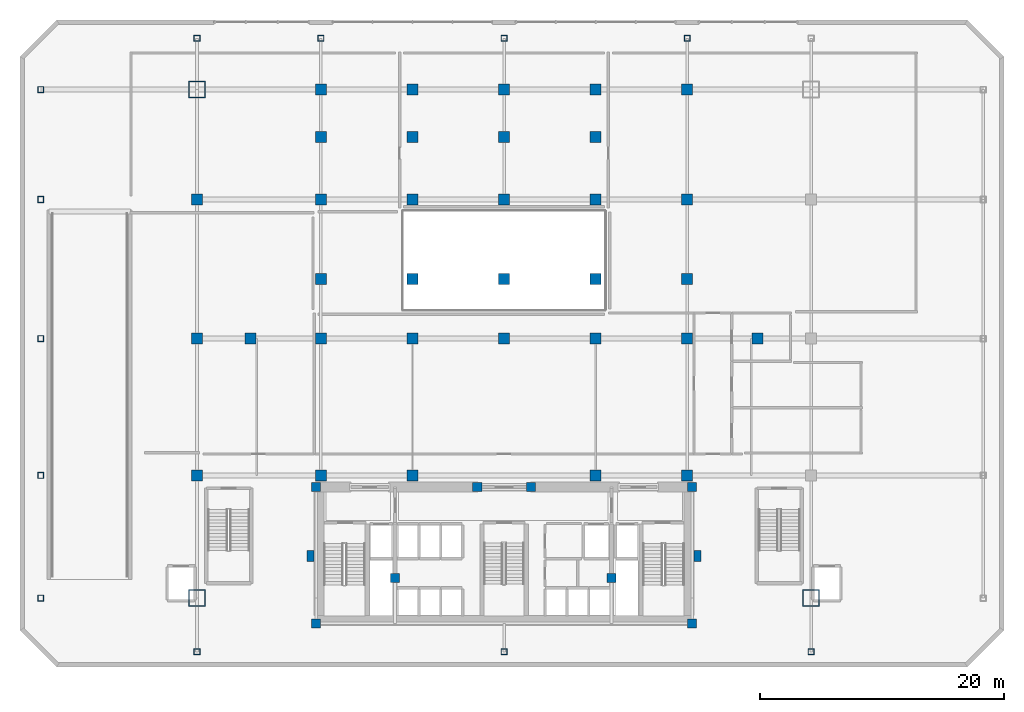
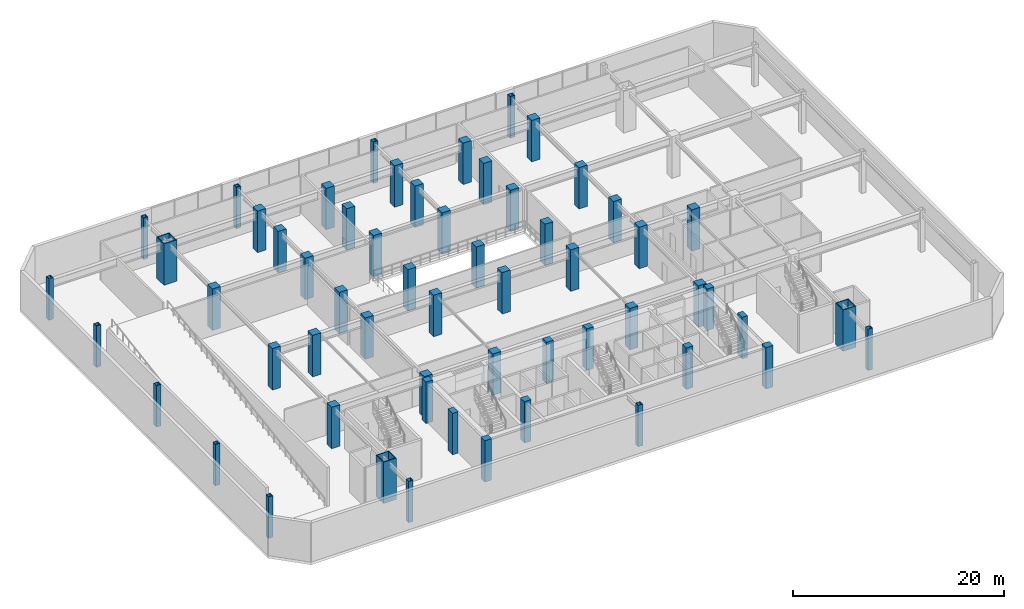
# One storey, part 1 of 16: 58 columns.
"""IFC4 building model written with IfcOpenShell, lengths in metres."""

from ifc_helpers import new_model, si_unit, direction, frame, origin, origin_2d, place, context, subcontext, project, spatial, rectangle, hollow_rectangle, extrude, material, material_profile, profile_set, type_object, element, save


model = new_model("IFC4")

# Units and contexts
model_context = context("Model", 3, precision=1e-05, world=origin(), true_north=direction((0.0, 1.0)))
body_context = subcontext(model_context, "Body", "Model", "MODEL_VIEW")
ifc_project = project(units=[si_unit("LENGTHUNIT", "METRE"), si_unit("AREAUNIT", "SQUARE_METRE"), si_unit("VOLUMEUNIT", "CUBIC_METRE"), si_unit("PLANEANGLEUNIT", "RADIAN"), si_unit("MASSUNIT", "GRAM", prefix="KILO")], contexts=[model_context])

# Site, building, storey
site_placement = place(None, origin())
site = spatial("IfcSite", under=ifc_project, at=site_placement, CompositionType="ELEMENT")
building_placement = place(site_placement, origin())
building = spatial("IfcBuilding", under=site, at=building_placement, Name="Ventersveld Concourse Tower", CompositionType="ELEMENT")
storey_placement = place(building_placement, frame((0.0, 0.0, 10.199951171875)))
storey = spatial("IfcBuildingStorey", under=building, at=storey_placement, Name="L02", CompositionType="ELEMENT", Elevation=10.199951171875)

# Columns
ifc_material_1 = material(Name="Structural steel S355ML", Category="steel")
ifc_material_profile_1 = material_profile(ifc_material_1, hollow_rectangle(XDim=0.5, YDim=0.5, WallThickness=0.031982421875, at=origin_2d()), Name="BOX 500x500x32")
ifc_profile_set_1 = profile_set([ifc_material_profile_1], Name="Structural steel S355ML")
column_type_1 = type_object("IfcColumnType", Name="COL-BOX500", PredefinedType="COLUMN", material=ifc_profile_set_1)
for number, where, z_axis, x_axis, name in (
    (1, (-9.199951171875, 2.35009765625, 0.0), (0.0, 0.0, 1.0), (1.0, 0.0, 0.0), "L02 Podium Perimeter Column 01"),
    (2, (-9.199951171875, 12.39990234375, 0.0), (0.0, 0.0, 1.0), (1.0, 0.0, 0.0), "L02 Podium Perimeter Column 02"),
    (3, (-9.199951171875, 23.60009765625, 0.0), (0.0, 0.0, 1.0), (1.0, 0.0, 0.0), "L02 Podium Perimeter Column 03"),
    (4, (-9.199951171875, 35.0, 0.0), (0.0, 0.0, 1.0), (1.0, 0.0, 0.0), "L02 Podium Perimeter Column 04"),
    (5, (-9.199951171875, 44.0, 0.0), (0.0, 0.0, 1.0), (1.0, 0.0, 0.0), "L02 Podium Perimeter Column 05"),
    (6, (3.60009765625, 48.199951171875, 0.0), (0.0, 0.0, 1.0), (1.0, 0.0, 0.0), "L02 Podium Perimeter Column 11"),
    (7, (13.75, 48.199951171875, 0.0), (0.0, 0.0, 1.0), (1.0, 0.0, 0.0), "L02 Podium Perimeter Column 12"),
    (8, (28.75, 48.199951171875, 0.0), (0.0, 0.0, 1.0), (1.0, 0.0, 0.0), "L02 Podium Perimeter Column 13"),
    (9, (43.75, 48.199951171875, 0.0), (0.0, 0.0, 1.0), (1.0, 0.0, 0.0), "L02 Podium Perimeter Column 14"),
    (10, (3.60009765625, -2.050048828125, 0.0), (0.0, 0.0, 1.0), (1.0, 0.0, 0.0), "L02 Podium Perimeter Column 16"),
    (11, (28.75, -2.050048828125, 0.0), (0.0, 0.0, 1.0), (1.0, 0.0, 0.0), "L02 Podium Perimeter Column 17"),
    (12, (53.89990234375, -2.050048828125, 0.0), (0.0, 0.0, 1.0), (1.0, 0.0, 0.0), "L02 Podium Perimeter Column 18"),
):
    element("IfcColumn", number, at=place(storey_placement, frame(where, z_axis=z_axis, x_axis=x_axis)), inside=storey, type_object=column_type_1, Name=name, PredefinedType="COLUMN", context=body_context, shape_type="SweptSolid", body=[
        extrude(hollow_rectangle(XDim=0.5, YDim=0.5, WallThickness=0.031982421875, at=origin_2d()), origin(), (0.0, 0.0, 1.0), 4.800048828125),
    ])
ifc_material_2 = material(Name="Concrete C50/60", Category="concrete")
ifc_material_profile_2 = material_profile(ifc_material_2, rectangle(XDim=0.75, YDim=0.75, at=origin_2d()), Name="RC 750x750")
ifc_profile_set_2 = profile_set([ifc_material_profile_2], Name="Concrete C50/60")
column_type_2 = type_object("IfcColumnType", Name="COL-RC750", PredefinedType="COLUMN", material=ifc_profile_set_2)
for number, where, z_axis, x_axis, name in (
    (13, (13.35009765625, 0.280029296875, 0.0), (0.0, 0.0, 1.0), (1.0, 0.0, 0.0), "L02 Core Spine Column CC-SW"),
    (14, (44.14990234375, 0.280029296875, 0.0), (0.0, 0.0, 1.0), (1.0, 0.0, 0.0), "L02 Core Spine Column CC-SE"),
    (15, (13.35009765625, 11.449951171875, 0.0), (0.0, 0.0, 1.0), (1.0, 0.0, 0.0), "L02 Core Spine Column CC-NW"),
    (16, (44.14990234375, 11.449951171875, 0.0), (0.0, 0.0, 1.0), (1.0, 0.0, 0.0), "L02 Core Spine Column CC-NE"),
    (17, (19.820068359375, 4.0, 0.0), (0.0, 0.0, 1.0), (1.0, 0.0, 0.0), "L02 Core Spine Column CM-1"),
    (18, (37.550048828125, 4.0, 0.0), (0.0, 0.0, 1.0), (1.0, 0.0, 0.0), "L02 Core Spine Column CM-2"),
    (19, (26.550048828125, 11.449951171875, 0.0), (0.0, 0.0, 1.0), (1.0, 0.0, 0.0), "L02 Core Spine Column CM-3"),
    (20, (30.949951171875, 11.449951171875, 0.0), (0.0, 0.0, 1.0), (1.0, 0.0, 0.0), "L02 Core Spine Column CM-4"),
):
    element("IfcColumn", number, at=place(storey_placement, frame(where, z_axis=z_axis, x_axis=x_axis)), inside=storey, type_object=column_type_2, Name=name, PredefinedType="COLUMN", context=body_context, shape_type="SweptSolid", body=[
        extrude(rectangle(XDim=0.75, YDim=0.75, at=origin_2d()), origin(), (0.0, 0.0, 1.0), 4.800048828125),
    ])
ifc_material_3 = material(Name="Concrete C60/75", Category="concrete")
ifc_material_profile_3 = material_profile(ifc_material_3, rectangle(XDim=0.89990234375, YDim=0.89990234375, at=origin_2d()), Name="RC 900x900")
ifc_profile_set_3 = profile_set([ifc_material_profile_3], Name="Concrete C60/75")
column_type_3 = type_object("IfcColumnType", Name="COL-RC900", PredefinedType="COLUMN", material=ifc_profile_set_3)
for number, where, z_axis, x_axis, name in (
    (21, (3.60009765625, 12.39990234375, 0.0), (0.0, 0.0, 1.0), (1.0, 0.0, 0.0), "L02 Station Grid Column G1B-C"),
    (22, (3.60009765625, 23.60009765625, 0.0), (0.0, 0.0, 1.0), (1.0, 0.0, 0.0), "L02 Station Grid Column G1B-D"),
    (23, (3.60009765625, 35.0, 0.0), (0.0, 0.0, 1.0), (1.0, 0.0, 0.0), "L02 Station Grid Column G1B-E"),
    (24, (13.75, 12.39990234375, 0.0), (0.0, 0.0, 1.0), (1.0, 0.0, 0.0), "L02 Station Grid Column G3-C"),
    (25, (13.75, 23.60009765625, 0.0), (0.0, 0.0, 1.0), (1.0, 0.0, 0.0), "L02 Station Grid Column G3-D"),
    (26, (13.75, 35.0, 0.0), (0.0, 0.0, 1.0), (1.0, 0.0, 0.0), "L02 Station Grid Column G3-E"),
    (27, (13.75, 44.0, 0.0), (0.0, 0.0, 1.0), (1.0, 0.0, 0.0), "L02 Station Grid Column G3-F"),
    (28, (28.75, 23.60009765625, 0.0), (0.0, 0.0, 1.0), (1.0, 0.0, 0.0), "L02 Station Grid Column G5-D"),
    (29, (28.75, 35.0, 0.0), (0.0, 0.0, 1.0), (1.0, 0.0, 0.0), "L02 Station Grid Column G5-E"),
    (30, (28.75, 44.0, 0.0), (0.0, 0.0, 1.0), (1.0, 0.0, 0.0), "L02 Station Grid Column G5-F"),
    (31, (43.75, 12.39990234375, 0.0), (0.0, 0.0, 1.0), (1.0, 0.0, 0.0), "L02 Station Grid Column G7-C"),
    (32, (43.75, 23.60009765625, 0.0), (0.0, 0.0, 1.0), (1.0, 0.0, 0.0), "L02 Station Grid Column G7-D"),
    (33, (43.75, 35.0, 0.0), (0.0, 0.0, 1.0), (1.0, 0.0, 0.0), "L02 Station Grid Column G7-E"),
    (34, (43.75, 44.0, 0.0), (0.0, 0.0, 1.0), (1.0, 0.0, 0.0), "L02 Station Grid Column G7-F"),
    (35, (21.25, 12.39990234375, 0.0), (0.0, 0.0, 1.0), (1.0, 0.0, 0.0), "L02 Station Tower-Line Column G4C"),
    (36, (36.25, 12.39990234375, 0.0), (0.0, 0.0, 1.0), (1.0, 0.0, 0.0), "L02 Station Tower-Line Column G6C"),
    (37, (8.0, 23.60009765625, 0.0), (0.0, 0.0, 1.0), (1.0, 0.0, 0.0), "L02 Station Tower-Line Column G2D"),
    (38, (21.25, 23.60009765625, 0.0), (0.0, 0.0, 1.0), (1.0, 0.0, 0.0), "L02 Station Tower-Line Column G4D"),
    (39, (36.25, 23.60009765625, 0.0), (0.0, 0.0, 1.0), (1.0, 0.0, 0.0), "L02 Station Tower-Line Column G6D"),
    (40, (49.5, 23.60009765625, 0.0), (0.0, 0.0, 1.0), (1.0, 0.0, 0.0), "L02 Station Tower-Line Column G8AD"),
    (41, (13.75, 28.5, 0.0), (0.0, 0.0, 1.0), (1.0, 0.0, 0.0), "L02 Station Tower-Line Column G3DN"),
    (42, (21.25, 28.5, 0.0), (0.0, 0.0, 1.0), (1.0, 0.0, 0.0), "L02 Station Tower-Line Column G4DN"),
    (43, (28.75, 28.5, 0.0), (0.0, 0.0, 1.0), (1.0, 0.0, 0.0), "L02 Station Tower-Line Column G5DN"),
    (44, (36.25, 28.5, 0.0), (0.0, 0.0, 1.0), (1.0, 0.0, 0.0), "L02 Station Tower-Line Column G6DN"),
    (45, (43.75, 28.5, 0.0), (0.0, 0.0, 1.0), (1.0, 0.0, 0.0), "L02 Station Tower-Line Column G7DN"),
    (46, (21.25, 35.0, 0.0), (0.0, 0.0, 1.0), (1.0, 0.0, 0.0), "L02 Station Tower-Line Column G4E"),
    (47, (36.25, 35.0, 0.0), (0.0, 0.0, 1.0), (1.0, 0.0, 0.0), "L02 Station Tower-Line Column G6E"),
    (48, (13.75, 40.1201171875, 0.0), (0.0, 0.0, 1.0), (1.0, 0.0, 0.0), "L02 Station Tower-Line Column G3EM"),
    (49, (21.25, 40.1201171875, 0.0), (0.0, 0.0, 1.0), (1.0, 0.0, 0.0), "L02 Station Tower-Line Column G4EM"),
    (50, (28.75, 40.1201171875, 0.0), (0.0, 0.0, 1.0), (1.0, 0.0, 0.0), "L02 Station Tower-Line Column G5EM"),
    (51, (36.25, 40.1201171875, 0.0), (0.0, 0.0, 1.0), (1.0, 0.0, 0.0), "L02 Station Tower-Line Column G6EM"),
    (52, (21.25, 44.0, 0.0), (0.0, 0.0, 1.0), (1.0, 0.0, 0.0), "L02 Station Tower-Line Column G4F"),
    (53, (36.25, 44.0, 0.0), (0.0, 0.0, 1.0), (1.0, 0.0, 0.0), "L02 Station Tower-Line Column G6F"),
):
    element("IfcColumn", number, at=place(storey_placement, frame(where, z_axis=z_axis, x_axis=x_axis)), inside=storey, type_object=column_type_3, Name=name, PredefinedType="COLUMN", context=body_context, shape_type="SweptSolid", body=[
        extrude(rectangle(XDim=0.89990234375, YDim=0.89990234375, at=origin_2d()), origin(), (0.0, 0.0, 1.0), 4.800048828125),
    ])
ifc_material_4 = material(Name="Structural steel S460ML", Category="steel")
ifc_material_profile_4 = material_profile(ifc_material_4, hollow_rectangle(XDim=1.39990234375, YDim=1.39990234375, WallThickness=0.080078125, at=origin_2d()), Name="BOX 1400x1400x80")
ifc_profile_set_4 = profile_set([ifc_material_profile_4], Name="Structural steel S460ML")
column_type_4 = type_object("IfcColumnType", Name="MC-1400", PredefinedType="USERDEFINED", material=ifc_profile_set_4)
for number, where, z_axis, x_axis, name in (
    (54, (3.60009765625, 2.35009765625, 0.0), (0.0, 0.0, 1.0), (1.0, 0.0, 0.0), "L02 Corner Mega-Column MC-SW"),
    (55, (53.89990234375, 2.35009765625, 0.0), (0.0, 0.0, 1.0), (1.0, 0.0, 0.0), "L02 Corner Mega-Column MC-SE"),
    (56, (3.60009765625, 44.0, 0.0), (0.0, 0.0, 1.0), (1.0, 0.0, 0.0), "L02 Corner Mega-Column MC-NW"),
):
    element("IfcColumn", number, at=place(storey_placement, frame(where, z_axis=z_axis, x_axis=x_axis)), inside=storey, type_object=column_type_4, Name=name, ObjectType="MEGA_COLUMN", PredefinedType="USERDEFINED", context=body_context, shape_type="SweptSolid", body=[
        extrude(hollow_rectangle(XDim=1.39990234375, YDim=1.39990234375, WallThickness=0.080078125, at=origin_2d()), origin(), (0.0, 0.0, 1.0), 4.800048828125),
    ])
ifc_material_profile_5 = material_profile(ifc_material_3, rectangle(XDim=0.60009765625, YDim=0.89990234375, at=origin_2d()), Name="RC 600x900")
ifc_profile_set_5 = profile_set([ifc_material_profile_5], Name="Concrete C60/75")
column_type_5 = type_object("IfcColumnType", Name="PIL-RC600x900", PredefinedType="PILASTER", material=ifc_profile_set_5)
for number, where, z_axis, x_axis, name in (
    (57, (12.89990234375, 5.800048828125, 0.0), (0.0, 0.0, 1.0), (1.0, 0.0, 0.0), "L02 Core Engaged Pilaster PIL-W"),
    (58, (44.60009765625, 5.800048828125, 0.0), (0.0, 0.0, 1.0), (1.0, 0.0, 0.0), "L02 Core Engaged Pilaster PIL-E"),
):
    element("IfcColumn", number, at=place(storey_placement, frame(where, z_axis=z_axis, x_axis=x_axis)), inside=storey, type_object=column_type_5, Name=name, PredefinedType="PILASTER", context=body_context, shape_type="SweptSolid", body=[
        extrude(rectangle(XDim=0.60009765625, YDim=0.89990234375, at=origin_2d()), origin(), (0.0, 0.0, 1.0), 4.800048828125),
    ])

save(model, "model.ifc")
